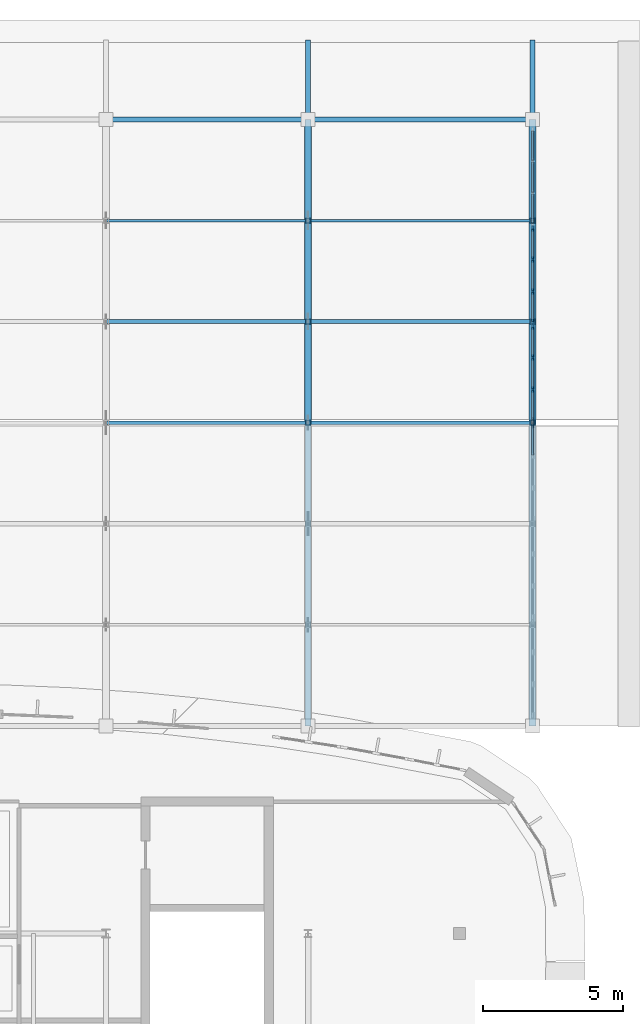
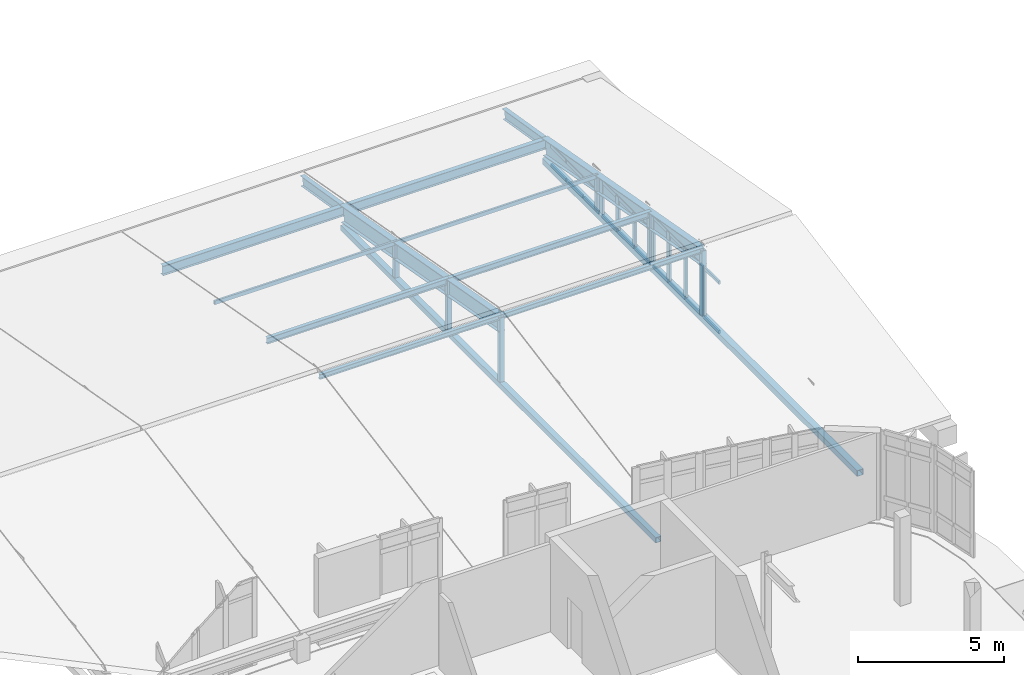
# One storey, part 39 of 105: 43 members, 6 beams, 4 elements without a shape of their own.
"""IFC4 building model written with IfcOpenShell, lengths in metres."""

from ifc_helpers import new_model, si_unit, direction, frame, origin, origin_2d, place, context, subcontext, project, spatial, rectangle, hollow_rectangle, i_section, extrude, material, material_profile, profile_set, type_object, element, aggregate, save


model = new_model("IFC4")

# Units and contexts
model_context = context("Model", 3, precision=1e-05, world=origin(), true_north=direction((0.0, 1.0)))
body_context = subcontext(model_context, "Body", "Model", "MODEL_VIEW")
ifc_project = project(units=[si_unit("LENGTHUNIT", "METRE"), si_unit("AREAUNIT", "SQUARE_METRE"), si_unit("VOLUMEUNIT", "CUBIC_METRE"), si_unit("PLANEANGLEUNIT", "RADIAN"), si_unit("MASSUNIT", "GRAM", prefix="KILO")], contexts=[model_context])

# Site, building, storey
site_placement = place(None, origin())
site = spatial("IfcSite", under=ifc_project, at=site_placement, CompositionType="ELEMENT")
building_placement = place(site_placement, origin())
building = spatial("IfcBuilding", under=site, at=building_placement, Name="Corveleigh Park Community Centre", CompositionType="ELEMENT")
storey_placement = place(building_placement, frame((0.0, 0.0, 8.699951171875)))
storey = spatial("IfcBuildingStorey", under=building, at=storey_placement, Name="L02", CompositionType="ELEMENT", Elevation=8.699951171875)

# Beams
ifc_material_1 = material(Name="Steel S355", Category="steel")
ifc_material_profile_1 = material_profile(ifc_material_1, i_section(OverallWidth=0.177978515625, OverallDepth=0.406494140625, WebThickness=0.0078125, FlangeThickness=0.0126953125, at=origin_2d()), Name="UKB 406x178x60", Category="steel")
ifc_profile_set_1 = profile_set([ifc_material_profile_1], Name="Steel S355")
beam_type_1 = type_object("IfcBeamType", Name="BM-STL-UKB406x60", PredefinedType="BEAM", material=ifc_profile_set_1)
beam_1_placement = place(storey_placement, frame((39.205078125, 114.39990234375, 0.716796875), z_axis=(1.0, 0.0, 0.0), x_axis=(0.0, 1.0, 0.0)))
element("IfcBeam", 1, at=beam_1_placement, inside=storey, type_object=beam_type_1, Name="V2 Eave Tie Beam", PredefinedType="BEAM", context=body_context, shape_type="SweptSolid", body=[
    extrude(i_section(OverallWidth=0.177978515625, OverallDepth=0.406494140625, WebThickness=0.0078125, FlangeThickness=0.0126953125, at=origin_2d()), origin(), (0.0, 0.0, 1.0), 7.18994140625),
])
beam_2_placement = place(storey_placement, frame((46.405029296875, 114.39990234375, 0.716796875), z_axis=(1.0, 0.0, 0.0), x_axis=(0.0, 1.0, 0.0)))
element("IfcBeam", 2, at=beam_2_placement, inside=storey, type_object=beam_type_1, Name="V2 Eave Tie Beam", PredefinedType="BEAM", context=body_context, shape_type="SweptSolid", body=[
    extrude(i_section(OverallWidth=0.177978515625, OverallDepth=0.406494140625, WebThickness=0.0078125, FlangeThickness=0.0126953125, at=origin_2d()), origin(), (0.0, 0.0, 1.0), 7.989990234375),
])
ifc_material_profile_2 = material_profile(ifc_material_1, i_section(OverallWidth=0.1787109375, OverallDepth=0.409423828125, WebThickness=0.0087890625, FlangeThickness=0.014404296875, at=origin_2d()), Name="UKB 406x178x67", Category="steel")
ifc_profile_set_2 = profile_set([ifc_material_profile_2], Name="Steel S355")
beam_type_2 = type_object("IfcBeamType", Name="BM-STL-UKB406x67", PredefinedType="BEAM", material=ifc_profile_set_2)
for number, where, z_axis, x_axis, name in (
    (3, (46.39990234375, 114.409912109375, 0.7236328125), (0.0, 0.986431224699, -0.164175025322), (-1.0, 0.0, 0.0), "V2 North Sports Eave Outrigger 6"),
    (4, (54.39990234375, 114.409912109375, 0.7236328125), (0.0, 0.986431224699, -0.164175025322), (-1.0, 0.0, 0.0), "V2 North Sports Eave Outrigger 7"),
):
    element("IfcBeam", number, at=place(storey_placement, frame(where, z_axis=z_axis, x_axis=x_axis)), inside=storey, type_object=beam_type_2, Name=name, PredefinedType="BEAM", context=body_context, shape_type="SweptSolid", body=[
        extrude(i_section(OverallWidth=0.1787109375, OverallDepth=0.409423828125, WebThickness=0.0087890625, FlangeThickness=0.014404296875, at=origin_2d()), origin(), (0.0, 0.0, 1.0), 2.828369140625),
    ])
ifc_material_profile_3 = material_profile(ifc_material_1, i_section(OverallWidth=0.25439453125, OverallDepth=0.6875, WebThickness=0.01318359375, FlangeThickness=0.02099609375, at=origin_2d()), Name="UKB 686x254x152", Category="steel")
ifc_profile_set_3 = profile_set([ifc_material_profile_3], Name="Steel S355")
beam_type_3 = type_object("IfcBeamType", Name="BM-STL-UKB686x152", PredefinedType="BEAM", material=ifc_profile_set_3)
for number, where, z_axis, x_axis, name in (
    (5, (46.39990234375, 103.60009765625, 2.54833984375), (0.0, 0.984084187124, -0.177702877447), (-1.0, 0.0, 0.0), "V2 Portal Rafter N6"),
    (6, (54.39990234375, 103.60009765625, 2.54833984375), (0.0, 0.984084187124, -0.177702877447), (-1.0, 0.0, 0.0), "V2 Portal Rafter N7"),
):
    element("IfcBeam", number, at=place(storey_placement, frame(where, z_axis=z_axis, x_axis=x_axis)), inside=storey, type_object=beam_type_3, Name=name, PredefinedType="BEAM", context=body_context, shape_type="SweptSolid", body=[
        extrude(i_section(OverallWidth=0.25439453125, OverallDepth=0.6875, WebThickness=0.01318359375, FlangeThickness=0.02099609375, at=origin_2d()), origin(), (0.0, 0.0, 1.0), 10.974365234375),
    ])

# Curtain wall, member
ifc_material_2 = material(Name="Anodised aluminium 6063-T6", Category="aluminium")
curtain_wall_type = type_object("IfcCurtainWallType", Name="CW-SYS-V2-HALL", PredefinedType="NOTDEFINED", material=ifc_material_2)
curtain_wall_1_placement = place(storey_placement, origin())
curtain_wall_1 = element("IfcCurtainWall", 7, at=curtain_wall_1_placement, inside=storey, type_object=curtain_wall_type, Name="Sports Hall E Gable Clerestory 3", PredefinedType="NOTDEFINED")
ifc_material_profile_4 = material_profile(ifc_material_2, rectangle(XDim=0.070068359375, YDim=0.199951171875, at=origin_2d()), Name="ALU-M70x200", Category="aluminium")
ifc_profile_set_4 = profile_set([ifc_material_profile_4], Name="Anodised aluminium 6063-T6")
member_type_1 = type_object("IfcMemberType", Name="CWM-70x200", PredefinedType="MULLION", material=ifc_profile_set_4)
member_1_placement = place(storey_placement, frame((54.39990234375, 103.52490234375, 0.0), z_axis=(0.0, 0.0, 1.0), x_axis=(1.0, 0.0, 0.0)))
member_1 = element("IfcMember", 8, at=member_1_placement, type_object=member_type_1, Name="CW04 mullion 1", PredefinedType="MULLION", context=body_context, shape_type="SweptSolid", body=[
    extrude(rectangle(XDim=0.070068359375, YDim=0.199951171875, at=origin_2d()), origin(), (0.0, 0.0, 1.0), 2.135009765625),
])

# Curtain wall, members
curtain_wall_2_placement = place(storey_placement, origin())
curtain_wall_2 = element("IfcCurtainWall", 9, at=curtain_wall_2_placement, inside=storey, type_object=curtain_wall_type, Name="Sports Hall E Gable Clerestory 4", PredefinedType="NOTDEFINED")
member_2_placement = place(storey_placement, frame((54.39990234375, 107.02490234375, 0.0), z_axis=(0.0, 0.0, 1.0), x_axis=(1.0, 0.0, 0.0)))
member_2 = element("IfcMember", 10, at=member_2_placement, type_object=member_type_1, Name="CW04 mullion 1", PredefinedType="MULLION", context=body_context, shape_type="SweptSolid", body=[
    extrude(rectangle(XDim=0.070068359375, YDim=0.199951171875, at=origin_2d()), origin(), (0.0, 0.0, 1.0), 2.135009765625),
])
member_3_placement = place(storey_placement, frame((54.39990234375, 105.919921875, 0.0), z_axis=(0.0, 0.0, 1.0), x_axis=(1.0, 0.0, 0.0)))
member_3 = element("IfcMember", 11, at=member_3_placement, type_object=member_type_1, Name="CW04 mullion 2", PredefinedType="MULLION", context=body_context, shape_type="SweptSolid", body=[
    extrude(rectangle(XDim=0.070068359375, YDim=0.199951171875, at=origin_2d()), origin(), (0.0, 0.0, 1.0), 2.135009765625),
])
member_4_placement = place(storey_placement, frame((54.39990234375, 104.780029296875, 0.0), z_axis=(0.0, 0.0, 1.0), x_axis=(1.0, 0.0, 0.0)))
member_4 = element("IfcMember", 12, at=member_4_placement, type_object=member_type_1, Name="CW04 mullion 3", PredefinedType="MULLION", context=body_context, shape_type="SweptSolid", body=[
    extrude(rectangle(XDim=0.070068359375, YDim=0.199951171875, at=origin_2d()), origin(), (0.0, 0.0, 1.0), 2.135009765625),
])
member_5_placement = place(storey_placement, frame((54.39990234375, 103.675048828125, 0.0), z_axis=(0.0, 0.0, 1.0), x_axis=(1.0, 0.0, 0.0)))
member_5 = element("IfcMember", 13, at=member_5_placement, type_object=member_type_1, Name="CW04 mullion 4", PredefinedType="MULLION", context=body_context, shape_type="SweptSolid", body=[
    extrude(rectangle(XDim=0.070068359375, YDim=0.199951171875, at=origin_2d()), origin(), (0.0, 0.0, 1.0), 2.135009765625),
])

curtain_wall_3_placement = place(storey_placement, origin())
curtain_wall_3 = element("IfcCurtainWall", 14, at=curtain_wall_3_placement, inside=storey, type_object=curtain_wall_type, Name="Sports Hall E Gable Clerestory 5", PredefinedType="NOTDEFINED")
member_6_placement = place(storey_placement, frame((54.39990234375, 110.52490234375, 0.0), z_axis=(0.0, 0.0, 1.0), x_axis=(1.0, 0.0, 0.0)))
member_6 = element("IfcMember", 15, at=member_6_placement, type_object=member_type_1, Name="CW04 mullion 1", PredefinedType="MULLION", context=body_context, shape_type="SweptSolid", body=[
    extrude(rectangle(XDim=0.070068359375, YDim=0.199951171875, at=origin_2d()), origin(), (0.0, 0.0, 1.0), 1.5029296875),
])
member_7_placement = place(storey_placement, frame((54.39990234375, 109.419921875, 0.0), z_axis=(0.0, 0.0, 1.0), x_axis=(1.0, 0.0, 0.0)))
member_7 = element("IfcMember", 16, at=member_7_placement, type_object=member_type_1, Name="CW04 mullion 2", PredefinedType="MULLION", context=body_context, shape_type="SweptSolid", body=[
    extrude(rectangle(XDim=0.070068359375, YDim=0.199951171875, at=origin_2d()), origin(), (0.0, 0.0, 1.0), 1.5029296875),
])
member_8_placement = place(storey_placement, frame((54.39990234375, 108.280029296875, 0.0), z_axis=(0.0, 0.0, 1.0), x_axis=(1.0, 0.0, 0.0)))
member_8 = element("IfcMember", 17, at=member_8_placement, type_object=member_type_1, Name="CW04 mullion 3", PredefinedType="MULLION", context=body_context, shape_type="SweptSolid", body=[
    extrude(rectangle(XDim=0.070068359375, YDim=0.199951171875, at=origin_2d()), origin(), (0.0, 0.0, 1.0), 1.5029296875),
])
member_9_placement = place(storey_placement, frame((54.39990234375, 107.175048828125, 0.0), z_axis=(0.0, 0.0, 1.0), x_axis=(1.0, 0.0, 0.0)))
member_9 = element("IfcMember", 18, at=member_9_placement, type_object=member_type_1, Name="CW04 mullion 4", PredefinedType="MULLION", context=body_context, shape_type="SweptSolid", body=[
    extrude(rectangle(XDim=0.070068359375, YDim=0.199951171875, at=origin_2d()), origin(), (0.0, 0.0, 1.0), 1.5029296875),
])

# Member
ifc_material_profile_5 = material_profile(ifc_material_2, rectangle(XDim=0.06494140625, YDim=0.139892578125, at=origin_2d()), Name="ALU-T65x140", Category="aluminium")
ifc_profile_set_5 = profile_set([ifc_material_profile_5], Name="Anodised aluminium 6063-T6")
member_type_2 = type_object("IfcMemberType", Name="CWT-65x140", PredefinedType="USERDEFINED", material=ifc_profile_set_5)
member_10_placement = place(storey_placement, frame((54.39990234375, 103.489990234375, 0.032470703125), z_axis=(0.0, -1.0, 0.0), x_axis=(1.0, 0.0, 0.0)))
member_10 = element("IfcMember", 19, at=member_10_placement, type_object=member_type_2, Name="CW04 transom 1.1", ObjectType="TRANSOM", PredefinedType="USERDEFINED", context=body_context, shape_type="SweptSolid", body=[
    extrude(rectangle(XDim=0.06494140625, YDim=0.139892578125, at=origin_2d()), origin(), (0.0, 0.0, 1.0), 1.034912109375),
])

member_11_placement = place(storey_placement, frame((54.39990234375, 103.489990234375, 2.1025390625), z_axis=(0.0, -1.0, 0.0), x_axis=(1.0, 0.0, 0.0)))
member_11 = element("IfcMember", 20, at=member_11_placement, type_object=member_type_2, Name="CW04 transom 1.2", ObjectType="TRANSOM", PredefinedType="USERDEFINED", context=body_context, shape_type="SweptSolid", body=[
    extrude(rectangle(XDim=0.06494140625, YDim=0.139892578125, at=origin_2d()), origin(), (0.0, 0.0, 1.0), 1.034912109375),
])

aggregate(curtain_wall_1, [member_1, member_10, member_11])

member_12_placement = place(storey_placement, frame((54.39990234375, 106.989990234375, 0.032470703125), z_axis=(0.0, -1.0, 0.0), x_axis=(1.0, 0.0, 0.0)))
member_12 = element("IfcMember", 21, at=member_12_placement, type_object=member_type_2, Name="CW04 transom 1.1", ObjectType="TRANSOM", PredefinedType="USERDEFINED", context=body_context, shape_type="SweptSolid", body=[
    extrude(rectangle(XDim=0.06494140625, YDim=0.139892578125, at=origin_2d()), origin(), (0.0, 0.0, 1.0), 1.034912109375),
])

member_13_placement = place(storey_placement, frame((54.39990234375, 106.989990234375, 2.1025390625), z_axis=(0.0, -1.0, 0.0), x_axis=(1.0, 0.0, 0.0)))
member_13 = element("IfcMember", 22, at=member_13_placement, type_object=member_type_2, Name="CW04 transom 1.2", ObjectType="TRANSOM", PredefinedType="USERDEFINED", context=body_context, shape_type="SweptSolid", body=[
    extrude(rectangle(XDim=0.06494140625, YDim=0.139892578125, at=origin_2d()), origin(), (0.0, 0.0, 1.0), 1.034912109375),
])

member_14_placement = place(storey_placement, frame((54.39990234375, 105.885009765625, 0.032470703125), z_axis=(0.0, -1.0, 0.0), x_axis=(1.0, 0.0, 0.0)))
member_14 = element("IfcMember", 23, at=member_14_placement, type_object=member_type_2, Name="CW04 transom 2.1", ObjectType="TRANSOM", PredefinedType="USERDEFINED", context=body_context, shape_type="SweptSolid", body=[
    extrude(rectangle(XDim=0.06494140625, YDim=0.139892578125, at=origin_2d()), origin(), (0.0, 0.0, 1.0), 1.070068359375),
])

member_15_placement = place(storey_placement, frame((54.39990234375, 105.885009765625, 2.1025390625), z_axis=(0.0, -1.0, 0.0), x_axis=(1.0, 0.0, 0.0)))
member_15 = element("IfcMember", 24, at=member_15_placement, type_object=member_type_2, Name="CW04 transom 2.2", ObjectType="TRANSOM", PredefinedType="USERDEFINED", context=body_context, shape_type="SweptSolid", body=[
    extrude(rectangle(XDim=0.06494140625, YDim=0.139892578125, at=origin_2d()), origin(), (0.0, 0.0, 1.0), 1.070068359375),
])

member_16_placement = place(storey_placement, frame((54.39990234375, 104.7451171875, 0.032470703125), z_axis=(0.0, -1.0, 0.0), x_axis=(1.0, 0.0, 0.0)))
member_16 = element("IfcMember", 25, at=member_16_placement, type_object=member_type_2, Name="CW04 transom 3.1", ObjectType="TRANSOM", PredefinedType="USERDEFINED", context=body_context, shape_type="SweptSolid", body=[
    extrude(rectangle(XDim=0.06494140625, YDim=0.139892578125, at=origin_2d()), origin(), (0.0, 0.0, 1.0), 1.03515625),
])

member_17_placement = place(storey_placement, frame((54.39990234375, 104.7451171875, 2.1025390625), z_axis=(0.0, -1.0, 0.0), x_axis=(1.0, 0.0, 0.0)))
member_17 = element("IfcMember", 26, at=member_17_placement, type_object=member_type_2, Name="CW04 transom 3.2", ObjectType="TRANSOM", PredefinedType="USERDEFINED", context=body_context, shape_type="SweptSolid", body=[
    extrude(rectangle(XDim=0.06494140625, YDim=0.139892578125, at=origin_2d()), origin(), (0.0, 0.0, 1.0), 1.03515625),
])

aggregate(curtain_wall_2, [member_2, member_3, member_4, member_5, member_12, member_13, member_14, member_15, member_16, member_17])

member_18_placement = place(storey_placement, frame((54.39990234375, 110.489990234375, 0.032470703125), z_axis=(0.0, -1.0, 0.0), x_axis=(1.0, 0.0, 0.0)))
member_18 = element("IfcMember", 27, at=member_18_placement, type_object=member_type_2, Name="CW04 transom 1.1", ObjectType="TRANSOM", PredefinedType="USERDEFINED", context=body_context, shape_type="SweptSolid", body=[
    extrude(rectangle(XDim=0.06494140625, YDim=0.139892578125, at=origin_2d()), origin(), (0.0, 0.0, 1.0), 1.034912109375),
])

member_19_placement = place(storey_placement, frame((54.39990234375, 110.489990234375, 1.470458984375), z_axis=(0.0, -1.0, 0.0), x_axis=(1.0, 0.0, 0.0)))
member_19 = element("IfcMember", 28, at=member_19_placement, type_object=member_type_2, Name="CW04 transom 1.2", ObjectType="TRANSOM", PredefinedType="USERDEFINED", context=body_context, shape_type="SweptSolid", body=[
    extrude(rectangle(XDim=0.06494140625, YDim=0.139892578125, at=origin_2d()), origin(), (0.0, 0.0, 1.0), 1.034912109375),
])

member_20_placement = place(storey_placement, frame((54.39990234375, 109.385009765625, 0.032470703125), z_axis=(0.0, -1.0, 0.0), x_axis=(1.0, 0.0, 0.0)))
member_20 = element("IfcMember", 29, at=member_20_placement, type_object=member_type_2, Name="CW04 transom 2.1", ObjectType="TRANSOM", PredefinedType="USERDEFINED", context=body_context, shape_type="SweptSolid", body=[
    extrude(rectangle(XDim=0.06494140625, YDim=0.139892578125, at=origin_2d()), origin(), (0.0, 0.0, 1.0), 1.070068359375),
])

member_21_placement = place(storey_placement, frame((54.39990234375, 109.385009765625, 1.470458984375), z_axis=(0.0, -1.0, 0.0), x_axis=(1.0, 0.0, 0.0)))
member_21 = element("IfcMember", 30, at=member_21_placement, type_object=member_type_2, Name="CW04 transom 2.2", ObjectType="TRANSOM", PredefinedType="USERDEFINED", context=body_context, shape_type="SweptSolid", body=[
    extrude(rectangle(XDim=0.06494140625, YDim=0.139892578125, at=origin_2d()), origin(), (0.0, 0.0, 1.0), 1.070068359375),
])

member_22_placement = place(storey_placement, frame((54.39990234375, 108.2451171875, 0.032470703125), z_axis=(0.0, -1.0, 0.0), x_axis=(1.0, 0.0, 0.0)))
member_22 = element("IfcMember", 31, at=member_22_placement, type_object=member_type_2, Name="CW04 transom 3.1", ObjectType="TRANSOM", PredefinedType="USERDEFINED", context=body_context, shape_type="SweptSolid", body=[
    extrude(rectangle(XDim=0.06494140625, YDim=0.139892578125, at=origin_2d()), origin(), (0.0, 0.0, 1.0), 1.03515625),
])

member_23_placement = place(storey_placement, frame((54.39990234375, 108.2451171875, 1.470458984375), z_axis=(0.0, -1.0, 0.0), x_axis=(1.0, 0.0, 0.0)))
member_23 = element("IfcMember", 32, at=member_23_placement, type_object=member_type_2, Name="CW04 transom 3.2", ObjectType="TRANSOM", PredefinedType="USERDEFINED", context=body_context, shape_type="SweptSolid", body=[
    extrude(rectangle(XDim=0.06494140625, YDim=0.139892578125, at=origin_2d()), origin(), (0.0, 0.0, 1.0), 1.03515625),
])

aggregate(curtain_wall_3, [member_6, member_7, member_8, member_9, member_18, member_19, member_20, member_21, member_22, member_23])

# Curtain wall, members
curtain_wall_4_placement = place(storey_placement, origin())
curtain_wall_4 = element("IfcCurtainWall", 33, at=curtain_wall_4_placement, inside=storey, type_object=curtain_wall_type, Name="Sports Hall E Gable Clerestory 6", PredefinedType="NOTDEFINED")
member_24_placement = place(storey_placement, frame((54.39990234375, 113.989990234375, 0.032470703125), z_axis=(0.0, -1.0, 0.0), x_axis=(1.0, 0.0, 0.0)))
member_24 = element("IfcMember", 34, at=member_24_placement, type_object=member_type_2, Name="CW04 transom 1.1", ObjectType="TRANSOM", PredefinedType="USERDEFINED", context=body_context, shape_type="SweptSolid", body=[
    extrude(rectangle(XDim=0.06494140625, YDim=0.139892578125, at=origin_2d()), origin(), (0.0, 0.0, 1.0), 1.034912109375),
])
member_25_placement = place(storey_placement, frame((54.39990234375, 113.989990234375, 0.838623046875), z_axis=(0.0, -1.0, 0.0), x_axis=(1.0, 0.0, 0.0)))
member_25 = element("IfcMember", 35, at=member_25_placement, type_object=member_type_2, Name="CW04 transom 1.2", ObjectType="TRANSOM", PredefinedType="USERDEFINED", context=body_context, shape_type="SweptSolid", body=[
    extrude(rectangle(XDim=0.06494140625, YDim=0.139892578125, at=origin_2d()), origin(), (0.0, 0.0, 1.0), 1.034912109375),
])
member_26_placement = place(storey_placement, frame((54.39990234375, 112.885009765625, 0.032470703125), z_axis=(0.0, -1.0, 0.0), x_axis=(1.0, 0.0, 0.0)))
member_26 = element("IfcMember", 36, at=member_26_placement, type_object=member_type_2, Name="CW04 transom 2.1", ObjectType="TRANSOM", PredefinedType="USERDEFINED", context=body_context, shape_type="SweptSolid", body=[
    extrude(rectangle(XDim=0.06494140625, YDim=0.139892578125, at=origin_2d()), origin(), (0.0, 0.0, 1.0), 1.070068359375),
])
member_27_placement = place(storey_placement, frame((54.39990234375, 112.885009765625, 0.838623046875), z_axis=(0.0, -1.0, 0.0), x_axis=(1.0, 0.0, 0.0)))
member_27 = element("IfcMember", 37, at=member_27_placement, type_object=member_type_2, Name="CW04 transom 2.2", ObjectType="TRANSOM", PredefinedType="USERDEFINED", context=body_context, shape_type="SweptSolid", body=[
    extrude(rectangle(XDim=0.06494140625, YDim=0.139892578125, at=origin_2d()), origin(), (0.0, 0.0, 1.0), 1.070068359375),
])
member_28_placement = place(storey_placement, frame((54.39990234375, 111.7451171875, 0.032470703125), z_axis=(0.0, -1.0, 0.0), x_axis=(1.0, 0.0, 0.0)))
member_28 = element("IfcMember", 38, at=member_28_placement, type_object=member_type_2, Name="CW04 transom 3.1", ObjectType="TRANSOM", PredefinedType="USERDEFINED", context=body_context, shape_type="SweptSolid", body=[
    extrude(rectangle(XDim=0.06494140625, YDim=0.139892578125, at=origin_2d()), origin(), (0.0, 0.0, 1.0), 1.03515625),
])
member_29_placement = place(storey_placement, frame((54.39990234375, 111.7451171875, 0.838623046875), z_axis=(0.0, -1.0, 0.0), x_axis=(1.0, 0.0, 0.0)))
member_29 = element("IfcMember", 39, at=member_29_placement, type_object=member_type_2, Name="CW04 transom 3.2", ObjectType="TRANSOM", PredefinedType="USERDEFINED", context=body_context, shape_type="SweptSolid", body=[
    extrude(rectangle(XDim=0.06494140625, YDim=0.139892578125, at=origin_2d()), origin(), (0.0, 0.0, 1.0), 1.03515625),
])
aggregate(curtain_wall_4, [member_24, member_25, member_26, member_27, member_28, member_29])

# Members
ifc_material_profile_6 = material_profile(ifc_material_1, hollow_rectangle(XDim=0.219970703125, YDim=0.219970703125, WallThickness=0.012451171875, at=origin_2d()), Name="SHS 220x220x12.5", Category="steel")
ifc_profile_set_6 = profile_set([ifc_material_profile_6], Name="Steel S355")
member_type_3 = type_object("IfcMemberType", Name="MEM-CHD-SHS220", PredefinedType="CHORD", material=ifc_profile_set_6)
member_30_placement = place(storey_placement, frame((46.39990234375, 92.800048828125, 0.0), z_axis=(0.0, 1.0, 0.0), x_axis=(-1.0, 0.0, 0.0)))
element("IfcMember", 40, at=member_30_placement, inside=storey, type_object=member_type_3, Name="V2 Truss 6 Bottom Tie", PredefinedType="CHORD", context=body_context, shape_type="SweptSolid", body=[
    extrude(hollow_rectangle(XDim=0.219970703125, YDim=0.219970703125, WallThickness=0.012451171875, at=origin_2d()), origin(), (0.0, 0.0, 1.0), 21.599853515625),
])
ifc_material_profile_7 = material_profile(ifc_material_1, hollow_rectangle(XDim=0.25, YDim=0.25, WallThickness=0.012451171875, at=origin_2d()), Name="SHS 250x250x12.5", Category="steel")
ifc_profile_set_7 = profile_set([ifc_material_profile_7], Name="Steel S355")
member_type_4 = type_object("IfcMemberType", Name="MEM-CHD-SHS250", PredefinedType="CHORD", material=ifc_profile_set_7)
member_31_placement = place(storey_placement, frame((54.39990234375, 92.800048828125, 0.0), z_axis=(0.0, 1.0, 0.0), x_axis=(-1.0, 0.0, 0.0)))
element("IfcMember", 41, at=member_31_placement, inside=storey, type_object=member_type_4, Name="V2 Truss 7 Bottom Tie", PredefinedType="CHORD", context=body_context, shape_type="SweptSolid", body=[
    extrude(hollow_rectangle(XDim=0.25, YDim=0.25, WallThickness=0.012451171875, at=origin_2d()), origin(), (0.0, 0.0, 1.0), 21.599853515625),
])
ifc_material_profile_8 = material_profile(ifc_material_1, hollow_rectangle(XDim=0.080078125, YDim=0.159912109375, WallThickness=0.008056640625, at=origin_2d()), Name="RHS 160x80x8.0", Category="steel")
ifc_profile_set_8 = profile_set([ifc_material_profile_8], Name="Steel S355")
member_type_5 = type_object("IfcMemberType", Name="MEM-PRL-RHS160", PredefinedType="PURLIN", material=ifc_profile_set_8)
member_32_placement = place(storey_placement, frame((39.199951171875, 110.800048828125, 1.53515625), z_axis=(1.0, 0.0, 0.0), x_axis=(0.0, 1.0, 0.0)))
element("IfcMember", 42, at=member_32_placement, inside=storey, type_object=member_type_5, Name="V2 Hall Roof Purlin", PredefinedType="PURLIN", context=body_context, shape_type="SweptSolid", body=[
    extrude(hollow_rectangle(XDim=0.080078125, YDim=0.159912109375, WallThickness=0.008056640625, at=origin_2d()), origin(), (0.0, 0.0, 1.0), 7.199951171875),
])
member_33_placement = place(storey_placement, frame((46.39990234375, 110.800048828125, 1.53515625), z_axis=(1.0, 0.0, 0.0), x_axis=(0.0, 1.0, 0.0)))
element("IfcMember", 43, at=member_33_placement, inside=storey, type_object=member_type_5, Name="V2 Hall Roof Purlin", PredefinedType="PURLIN", context=body_context, shape_type="SweptSolid", body=[
    extrude(hollow_rectangle(XDim=0.080078125, YDim=0.159912109375, WallThickness=0.008056640625, at=origin_2d()), origin(), (0.0, 0.0, 1.0), 8.0),
])
ifc_material_profile_9 = material_profile(ifc_material_1, i_section(OverallWidth=0.13330078125, OverallDepth=0.203125, WebThickness=0.005615234375, FlangeThickness=0.0078125, at=origin_2d()), Name="UKB 203x133x25", Category="steel")
ifc_profile_set_9 = profile_set([ifc_material_profile_9], Name="Steel S355")
member_type_6 = type_object("IfcMemberType", Name="MEM-PRL-UKB203", PredefinedType="PURLIN", material=ifc_profile_set_9)
member_34_placement = place(storey_placement, frame((39.199951171875, 103.60009765625, 2.8134765625), z_axis=(1.0, 0.0, 0.0), x_axis=(0.0, 1.0, 0.0)))
element("IfcMember", 44, at=member_34_placement, inside=storey, type_object=member_type_6, Name="V2 Hall Roof Purlin", PredefinedType="PURLIN", context=body_context, shape_type="SweptSolid", body=[
    extrude(i_section(OverallWidth=0.13330078125, OverallDepth=0.203125, WebThickness=0.005615234375, FlangeThickness=0.0078125, at=origin_2d()), origin(), (0.0, 0.0, 1.0), 7.199951171875),
])
member_35_placement = place(storey_placement, frame((46.39990234375, 103.60009765625, 2.8134765625), z_axis=(1.0, 0.0, 0.0), x_axis=(0.0, 1.0, 0.0)))
element("IfcMember", 45, at=member_35_placement, inside=storey, type_object=member_type_6, Name="V2 Hall Roof Purlin", PredefinedType="PURLIN", context=body_context, shape_type="SweptSolid", body=[
    extrude(i_section(OverallWidth=0.13330078125, OverallDepth=0.203125, WebThickness=0.005615234375, FlangeThickness=0.0078125, at=origin_2d()), origin(), (0.0, 0.0, 1.0), 8.0),
])
ifc_material_profile_10 = material_profile(ifc_material_1, i_section(OverallWidth=0.14599609375, OverallDepth=0.25146484375, WebThickness=0.006103515625, FlangeThickness=0.008544921875, at=origin_2d()), Name="UKB 254x146x31", Category="steel")
ifc_profile_set_10 = profile_set([ifc_material_profile_10], Name="Steel S355")
member_type_7 = type_object("IfcMemberType", Name="MEM-PRL-UKB254", PredefinedType="PURLIN", material=ifc_profile_set_10)
member_36_placement = place(storey_placement, frame((39.199951171875, 107.199951171875, 2.139404296875), z_axis=(1.0, 0.0, 0.0), x_axis=(0.0, 1.0, 0.0)))
element("IfcMember", 46, at=member_36_placement, inside=storey, type_object=member_type_7, Name="V2 Hall Roof Purlin", PredefinedType="PURLIN", context=body_context, shape_type="SweptSolid", body=[
    extrude(i_section(OverallWidth=0.14599609375, OverallDepth=0.25146484375, WebThickness=0.006103515625, FlangeThickness=0.008544921875, at=origin_2d()), origin(), (0.0, 0.0, 1.0), 7.199951171875),
])
member_37_placement = place(storey_placement, frame((46.39990234375, 107.199951171875, 2.139404296875), z_axis=(1.0, 0.0, 0.0), x_axis=(0.0, 1.0, 0.0)))
element("IfcMember", 47, at=member_37_placement, inside=storey, type_object=member_type_7, Name="V2 Hall Roof Purlin", PredefinedType="PURLIN", context=body_context, shape_type="SweptSolid", body=[
    extrude(i_section(OverallWidth=0.14599609375, OverallDepth=0.25146484375, WebThickness=0.006103515625, FlangeThickness=0.008544921875, at=origin_2d()), origin(), (0.0, 0.0, 1.0), 8.0),
])
ifc_material_profile_11 = material_profile(ifc_material_1, hollow_rectangle(XDim=0.179931640625, YDim=0.179931640625, WallThickness=0.010009765625, at=origin_2d()), Name="SHS 180x180x10.0", Category="steel")
ifc_profile_set_11 = profile_set([ifc_material_profile_11], Name="Steel S355")
member_type_8 = type_object("IfcMemberType", Name="MEM-STR-SHS180I", PredefinedType="STRUT", material=ifc_profile_set_11)
member_38_placement = place(storey_placement, frame((46.39990234375, 103.60009765625, 0.0), z_axis=(0.0, 0.0, 1.0), x_axis=(1.0, 0.0, 0.0)))
element("IfcMember", 48, at=member_38_placement, inside=storey, type_object=member_type_8, Name="V2 Truss 6 Hanger Post", PredefinedType="STRUT", context=body_context, shape_type="SweptSolid", body=[
    extrude(hollow_rectangle(XDim=0.179931640625, YDim=0.179931640625, WallThickness=0.010009765625, at=origin_2d()), origin(), (0.0, 0.0, 1.0), 2.800048828125),
])
member_39_placement = place(storey_placement, frame((46.39990234375, 107.199951171875, 0.0), z_axis=(0.0, 0.0, 1.0), x_axis=(1.0, 0.0, 0.0)))
element("IfcMember", 49, at=member_39_placement, inside=storey, type_object=member_type_8, Name="V2 Truss 6 Hanger Post", PredefinedType="STRUT", context=body_context, shape_type="SweptSolid", body=[
    extrude(hollow_rectangle(XDim=0.179931640625, YDim=0.179931640625, WallThickness=0.010009765625, at=origin_2d()), origin(), (0.0, 0.0, 1.0), 2.150146484375),
])
member_40_placement = place(storey_placement, frame((46.39990234375, 110.800048828125, 0.0), z_axis=(0.0, 0.0, 1.0), x_axis=(1.0, 0.0, 0.0)))
element("IfcMember", 50, at=member_40_placement, inside=storey, type_object=member_type_8, Name="V2 Truss 6 Hanger Post", PredefinedType="STRUT", context=body_context, shape_type="SweptSolid", body=[
    extrude(hollow_rectangle(XDim=0.179931640625, YDim=0.179931640625, WallThickness=0.010009765625, at=origin_2d()), origin(), (0.0, 0.0, 1.0), 1.5),
])
member_41_placement = place(storey_placement, frame((54.39990234375, 103.60009765625, 0.0), z_axis=(0.0, 0.0, 1.0), x_axis=(1.0, 0.0, 0.0)))
element("IfcMember", 51, at=member_41_placement, inside=storey, type_object=member_type_8, Name="V2 Truss 7 Hanger Post", PredefinedType="STRUT", context=body_context, shape_type="SweptSolid", body=[
    extrude(hollow_rectangle(XDim=0.179931640625, YDim=0.179931640625, WallThickness=0.010009765625, at=origin_2d()), origin(), (0.0, 0.0, 1.0), 2.800048828125),
])
member_42_placement = place(storey_placement, frame((54.39990234375, 107.199951171875, 0.0), z_axis=(0.0, 0.0, 1.0), x_axis=(1.0, 0.0, 0.0)))
element("IfcMember", 52, at=member_42_placement, inside=storey, type_object=member_type_8, Name="V2 Truss 7 Hanger Post", PredefinedType="STRUT", context=body_context, shape_type="SweptSolid", body=[
    extrude(hollow_rectangle(XDim=0.179931640625, YDim=0.179931640625, WallThickness=0.010009765625, at=origin_2d()), origin(), (0.0, 0.0, 1.0), 2.150146484375),
])
member_43_placement = place(storey_placement, frame((54.39990234375, 110.800048828125, 0.0), z_axis=(0.0, 0.0, 1.0), x_axis=(1.0, 0.0, 0.0)))
element("IfcMember", 53, at=member_43_placement, inside=storey, type_object=member_type_8, Name="V2 Truss 7 Hanger Post", PredefinedType="STRUT", context=body_context, shape_type="SweptSolid", body=[
    extrude(hollow_rectangle(XDim=0.179931640625, YDim=0.179931640625, WallThickness=0.010009765625, at=origin_2d()), origin(), (0.0, 0.0, 1.0), 1.5),
])

save(model, "model.ifc")
